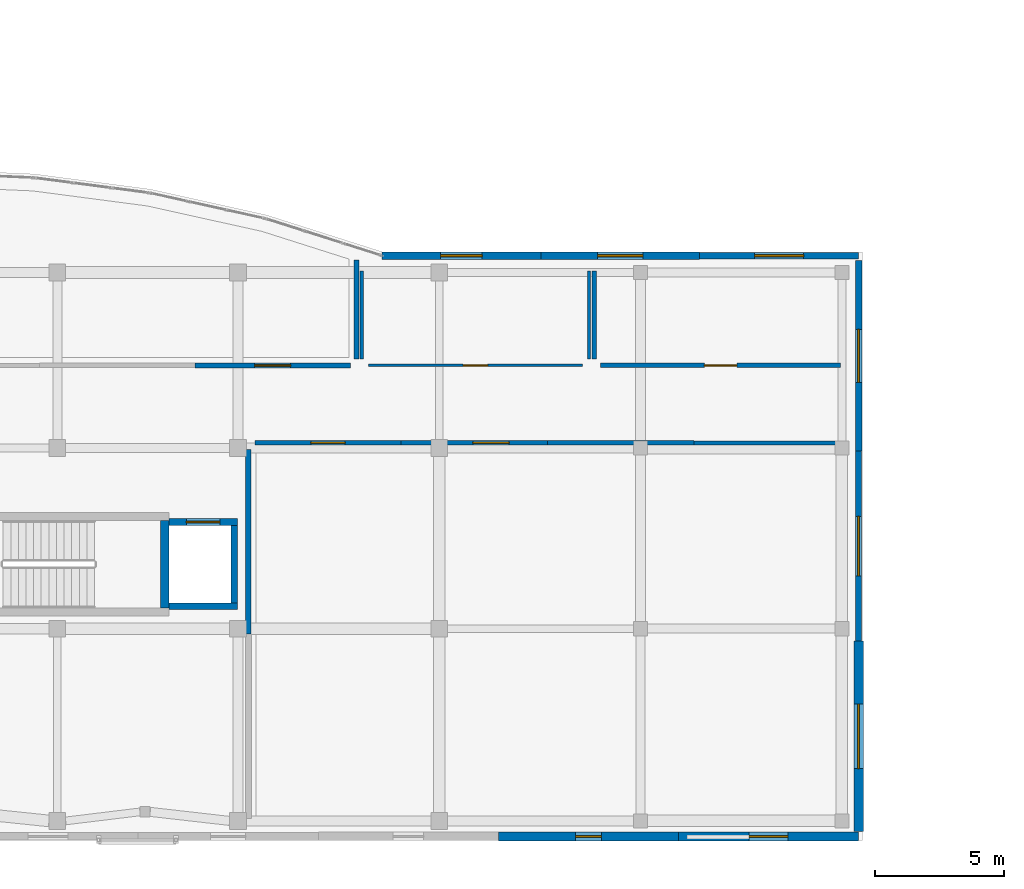
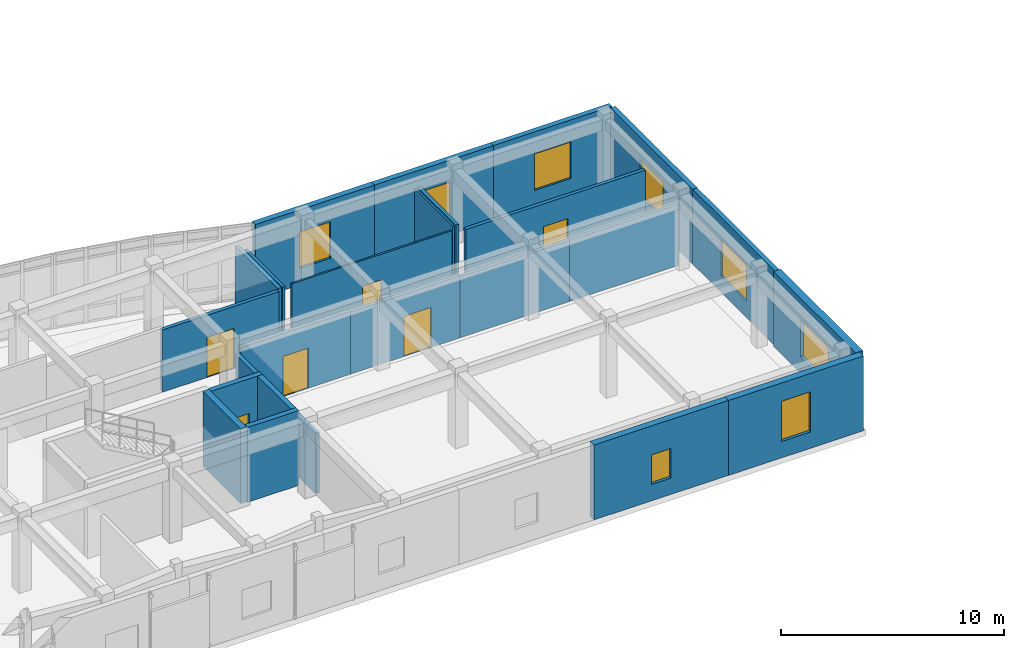
# One storey, part 121 of 142: 24 walls, 8 windows, 6 doors, 14 openings.
"""IFC4 building model written with IfcOpenShell, lengths in metres."""

from ifc_helpers import new_model, si_unit, direction, frame, frame_2d, origin, place, context, subcontext, project, spatial, rectangle, extrude, material, layer, layer_set, type_object, element, fill, save


model = new_model("IFC4")

# Units and contexts
model_context = context("Model", 3, precision=1e-05, world=origin(), true_north=direction((0.0, 1.0)))
body_context = subcontext(model_context, "Body", "Model", "MODEL_VIEW")
ifc_project = project(units=[si_unit("LENGTHUNIT", "METRE"), si_unit("AREAUNIT", "SQUARE_METRE"), si_unit("VOLUMEUNIT", "CUBIC_METRE"), si_unit("PLANEANGLEUNIT", "RADIAN"), si_unit("MASSUNIT", "GRAM", prefix="KILO")], contexts=[model_context])

# Site, building, storey
site_placement = place(None, origin())
site = spatial("IfcSite", under=ifc_project, at=site_placement, CompositionType="ELEMENT")
building_placement = place(site_placement, origin())
building = spatial("IfcBuilding", under=site, at=building_placement, Name="Valcora Specialist Clinic", CompositionType="ELEMENT")
storey_placement = place(building_placement, frame((0.0, 0.0, 5.10009765625)))
storey = spatial("IfcBuildingStorey", under=building, at=storey_placement, Name="L01", CompositionType="ELEMENT", Elevation=5.10009765625)

# Wall
ifc_material_1 = material(Name="Concrete C40/50", Category="concrete")
ifc_layer_1 = layer(ifc_material_1, 0.320068359375)
ifc_layer_set_1 = layer_set([ifc_layer_1], Name="Concrete C40/50")
wall_type_1 = type_object("IfcWallType", Name="TY-WL-CR320", PredefinedType="SHEAR", material=ifc_layer_set_1)
wall_1_placement = place(storey_placement, frame((96.56005859375, 9.001953125, 0.0), z_axis=(0.0, 0.0, 1.0), x_axis=(0.0, 1.0, 0.0)))
element("IfcWall", 1, at=wall_1_placement, inside=storey, type_object=wall_type_1, Name="Core shear wall WL-CR-C-V6B-L01-E", PredefinedType="SHEAR", context=body_context, shape_type="SweptSolid", body=[
    extrude(rectangle(XDim=3.39599609375, YDim=0.320068359375, at=frame_2d((1.697998046875, 0.0))), origin(), (0.0, 0.0, 1.0), 4.10498046875),
])

# Wall, opening, window
ifc_material_2 = material(Name="Extruded Jalisco Clay Brick Masonry", Category="masonry")
ifc_layer_2 = layer(ifc_material_2, 0.235107421875)
ifc_layer_set_2 = layer_set([ifc_layer_2], Name="Extruded Jalisco Clay Brick Masonry")
wall_type_2 = type_object("IfcWallType", Name="TY-WL-EW235", PredefinedType="SOLIDWALL", material=ifc_layer_set_2)
wall_2_placement = place(storey_placement, frame((123.449951171875, 15.086669921875, 0.0), z_axis=(0.0, 0.0, 1.0), x_axis=(0.0, -1.0, 0.0)))
wall_2 = element("IfcWall", 2, at=wall_2_placement, inside=storey, type_object=wall_type_2, Name="Exterior wall WL-EXT-L01-0330", PredefinedType="SOLIDWALL", context=body_context, shape_type="SweptSolid", body=[
    extrude(rectangle(XDim=7.373291015625, YDim=0.235107421875, at=frame_2d((3.6865234375, 0.0))), origin(), (0.0, 0.0, 1.0), 4.10498046875),
])
opening_1_placement = place(wall_2_placement, frame((2.537109375, 0.0, 0.89990234375)))
opening_1 = element("IfcOpeningElement", 3, at=opening_1_placement, cuts=wall_2, Name="Opening WN-28", PredefinedType="OPENING", context=body_context, shape_type="SweptSolid", body=[
    extrude(rectangle(XDim=2.300048828125, YDim=2.0, at=frame_2d((1.14990234375, 1.0))), frame((0.0, 0.12744140625, 0.0), z_axis=(0.0, -1.0, 0.0), x_axis=(1.0, 0.0, 0.0)), (0.0, 0.0, 1.0), 0.255126953125),
])
ifc_material_3 = material(Name="Low-E Laminated Insulating Glass", Category="glass")
window_type_1 = type_object("IfcWindowType", Name="TY-WN-28", PartitioningType="SINGLE_PANEL", PredefinedType="WINDOW", material=ifc_material_3)
window_1_placement = place(opening_1_placement, origin())
window_1 = element("IfcWindow", 4, at=window_1_placement, inside=storey, type_object=window_type_1, Name="Facade window WN-L01-0280", OverallHeight=2.0, OverallWidth=2.300048828125, PartitioningType="SINGLE_PANEL", PredefinedType="WINDOW", context=body_context, shape_type="SweptSolid", body=[
    extrude(rectangle(XDim=2.300048828125, YDim=2.0, at=frame_2d((1.14990234375, 1.0))), frame((0.0, 0.030029296875, 0.0), z_axis=(0.0, -1.0, 0.0), x_axis=(1.0, 0.0, 0.0)), (0.0, 0.0, 1.0), 0.06005859375),
])
fill(opening_1, window_1)

ifc_layer_3 = layer(ifc_material_2, 0.25)
ifc_layer_set_3 = layer_set([ifc_layer_3], Name="Extruded Jalisco Clay Brick Masonry")
wall_type_3 = type_object("IfcWallType", Name="TY-WL-EW250", PredefinedType="SOLIDWALL", material=ifc_layer_set_3)
wall_3_placement = place(storey_placement, frame((123.449951171875, 22.4599609375, 0.0), z_axis=(0.0, 0.0, 1.0), x_axis=(0.0, -1.0, 0.0)))
wall_3 = element("IfcWall", 5, at=wall_3_placement, inside=storey, type_object=wall_type_3, Name="Exterior wall WL-EXT-L01-0329", PredefinedType="SOLIDWALL", context=body_context, shape_type="SweptSolid", body=[
    extrude(rectangle(XDim=7.373291015625, YDim=0.25, at=frame_2d((3.6865234375, 0.0))), origin(), (0.0, 0.0, 1.0), 4.10498046875),
])
opening_2_placement = place(wall_3_placement, frame((2.662109375, 0.0, 0.89990234375)))
opening_2 = element("IfcOpeningElement", 6, at=opening_2_placement, cuts=wall_3, Name="Opening WN-27", PredefinedType="OPENING", context=body_context, shape_type="SweptSolid", body=[
    extrude(rectangle(XDim=2.050048828125, YDim=2.0, at=frame_2d((1.02490234375, 1.0))), frame((0.0, 0.135009765625, 0.0), z_axis=(0.0, -1.0, 0.0), x_axis=(1.0, 0.0, 0.0)), (0.0, 0.0, 1.0), 0.27001953125),
])
window_type_2 = type_object("IfcWindowType", Name="TY-WN-27", PartitioningType="SINGLE_PANEL", PredefinedType="WINDOW", material=ifc_material_3)
window_2_placement = place(opening_2_placement, origin())
window_2 = element("IfcWindow", 7, at=window_2_placement, inside=storey, type_object=window_type_2, Name="Facade window WN-L01-0279", OverallHeight=2.0, OverallWidth=2.050048828125, PartitioningType="SINGLE_PANEL", PredefinedType="WINDOW", context=body_context, shape_type="SweptSolid", body=[
    extrude(rectangle(XDim=2.050048828125, YDim=2.0, at=frame_2d((1.02490234375, 1.0))), frame((0.0, 0.030029296875, 0.0), z_axis=(0.0, -1.0, 0.0), x_axis=(1.0, 0.0, 0.0)), (0.0, 0.0, 1.0), 0.06005859375),
])
fill(opening_2, window_2)

ifc_layer_4 = layer(ifc_material_2, 0.264892578125)
ifc_layer_set_4 = layer_set([ifc_layer_4], Name="Extruded Jalisco Clay Brick Masonry")
wall_type_4 = type_object("IfcWallType", Name="TY-WL-EW265", PredefinedType="SOLIDWALL", material=ifc_layer_set_4)
wall_4_placement = place(storey_placement, frame((117.292236328125, 22.64990234375, 0.0), z_axis=(0.0, 0.0, 1.0), x_axis=(1.0, 0.0, 0.0)))
wall_4 = element("IfcWall", 8, at=wall_4_placement, inside=storey, type_object=wall_type_4, Name="Exterior wall WL-EXT-L01-0328", PredefinedType="SOLIDWALL", context=body_context, shape_type="SweptSolid", body=[
    extrude(rectangle(XDim=6.15771484375, YDim=0.264892578125, at=frame_2d((3.078857421875, 0.0))), origin(), (0.0, 0.0, 1.0), 4.10498046875),
])
opening_3_placement = place(wall_4_placement, frame((2.12890625, 0.0, 0.89990234375)))
opening_3 = element("IfcOpeningElement", 9, at=opening_3_placement, cuts=wall_4, Name="Opening WN-26", PredefinedType="OPENING", context=body_context, shape_type="SweptSolid", body=[
    extrude(rectangle(XDim=1.89990234375, YDim=2.0, at=frame_2d((0.949951171875, 1.0))), frame((0.0, 0.142333984375, 0.0), z_axis=(0.0, -1.0, 0.0), x_axis=(1.0, 0.0, 0.0)), (0.0, 0.0, 1.0), 0.284912109375),
])
window_type_3 = type_object("IfcWindowType", Name="TY-WN-26", PartitioningType="SINGLE_PANEL", PredefinedType="WINDOW", material=ifc_material_3)
window_3_placement = place(opening_3_placement, origin())
window_3 = element("IfcWindow", 10, at=window_3_placement, inside=storey, type_object=window_type_3, Name="Facade window WN-L01-0278", OverallHeight=2.0, OverallWidth=1.89990234375, PartitioningType="SINGLE_PANEL", PredefinedType="WINDOW", context=body_context, shape_type="SweptSolid", body=[
    extrude(rectangle(XDim=1.89990234375, YDim=2.0, at=frame_2d((0.949951171875, 1.0))), frame((0.0, 0.030029296875, 0.0), z_axis=(0.0, -1.0, 0.0), x_axis=(1.0, 0.0, 0.0)), (0.0, 0.0, 1.0), 0.06005859375),
])
fill(opening_3, window_3)

ifc_layer_5 = layer(ifc_material_2, 0.280029296875)
ifc_layer_set_5 = layer_set([ifc_layer_5], Name="Extruded Jalisco Clay Brick Masonry")
wall_type_5 = type_object("IfcWallType", Name="TY-WL-EW280", PredefinedType="SOLIDWALL", material=ifc_layer_set_5)
wall_5_placement = place(storey_placement, frame((111.134521484375, 22.64990234375, 0.0), z_axis=(0.0, 0.0, 1.0), x_axis=(1.0, 0.0, 0.0)))
wall_5 = element("IfcWall", 11, at=wall_5_placement, inside=storey, type_object=wall_type_5, Name="Exterior wall WL-EXT-L01-0327", PredefinedType="SOLIDWALL", context=body_context, shape_type="SweptSolid", body=[
    extrude(rectangle(XDim=6.15771484375, YDim=0.280029296875, at=frame_2d((3.078857421875, 0.0))), origin(), (0.0, 0.0, 1.0), 4.10498046875),
])
opening_4_placement = place(wall_5_placement, frame((2.2041015625, 0.0, 0.89990234375)))
opening_4 = element("IfcOpeningElement", 12, at=opening_4_placement, cuts=wall_5, Name="Opening WN-25", PredefinedType="OPENING", context=body_context, shape_type="SweptSolid", body=[
    extrude(rectangle(XDim=1.75, YDim=2.0, at=frame_2d((0.875, 1.0))), frame((0.0, 0.14990234375, 0.0), z_axis=(0.0, -1.0, 0.0), x_axis=(1.0, 0.0, 0.0)), (0.0, 0.0, 1.0), 0.300048828125),
])
window_type_4 = type_object("IfcWindowType", Name="TY-WN-25", PartitioningType="SINGLE_PANEL", PredefinedType="WINDOW", material=ifc_material_3)
window_4_placement = place(opening_4_placement, origin())
window_4 = element("IfcWindow", 13, at=window_4_placement, inside=storey, type_object=window_type_4, Name="Facade window WN-L01-0277", OverallHeight=2.0, OverallWidth=1.75, PartitioningType="SINGLE_PANEL", PredefinedType="WINDOW", context=body_context, shape_type="SweptSolid", body=[
    extrude(rectangle(XDim=1.75, YDim=2.0, at=frame_2d((0.875, 1.0))), frame((0.0, 0.030029296875, 0.0), z_axis=(0.0, -1.0, 0.0), x_axis=(1.0, 0.0, 0.0)), (0.0, 0.0, 1.0), 0.06005859375),
])
fill(opening_4, window_4)

ifc_layer_6 = layer(ifc_material_2, 0.294921875)
ifc_layer_set_6 = layer_set([ifc_layer_6], Name="Extruded Jalisco Clay Brick Masonry")
wall_type_6 = type_object("IfcWallType", Name="TY-WL-EW295", PredefinedType="SOLIDWALL", material=ifc_layer_set_6)
wall_6_placement = place(storey_placement, frame((104.976806640625, 22.64990234375, 0.0), z_axis=(0.0, 0.0, 1.0), x_axis=(1.0, 0.0, 0.0)))
wall_6 = element("IfcWall", 14, at=wall_6_placement, inside=storey, type_object=wall_type_6, Name="Exterior wall WL-EXT-L01-0326", PredefinedType="SOLIDWALL", context=body_context, shape_type="SweptSolid", body=[
    extrude(rectangle(XDim=6.15771484375, YDim=0.294921875, at=frame_2d((3.078857421875, 0.0))), origin(), (0.0, 0.0, 1.0), 4.10498046875),
])
opening_5_placement = place(wall_6_placement, frame((2.279052734375, 0.0, 0.89990234375)))
opening_5 = element("IfcOpeningElement", 15, at=opening_5_placement, cuts=wall_6, Name="Opening WN-24", PredefinedType="OPENING", context=body_context, shape_type="SweptSolid", body=[
    extrude(rectangle(XDim=1.60009765625, YDim=2.0, at=frame_2d((0.800048828125, 1.0))), frame((0.0, 0.157470703125, 0.0), z_axis=(0.0, -1.0, 0.0), x_axis=(1.0, 0.0, 0.0)), (0.0, 0.0, 1.0), 0.31494140625),
])
window_type_5 = type_object("IfcWindowType", Name="TY-WN-24", PartitioningType="SINGLE_PANEL", PredefinedType="WINDOW", material=ifc_material_3)
window_5_placement = place(opening_5_placement, origin())
window_5 = element("IfcWindow", 16, at=window_5_placement, inside=storey, type_object=window_type_5, Name="Facade window WN-L01-0276", OverallHeight=2.0, OverallWidth=1.60009765625, PartitioningType="SINGLE_PANEL", PredefinedType="WINDOW", context=body_context, shape_type="SweptSolid", body=[
    extrude(rectangle(XDim=1.60009765625, YDim=2.0, at=frame_2d((0.800048828125, 1.0))), frame((0.0, 0.030029296875, 0.0), z_axis=(0.0, -1.0, 0.0), x_axis=(1.0, 0.0, 0.0)), (0.0, 0.0, 1.0), 0.06005859375),
])
fill(opening_5, window_5)

ifc_layer_7 = layer(ifc_material_2, 0.340087890625)
ifc_layer_set_7 = layer_set([ifc_layer_7], Name="Extruded Jalisco Clay Brick Masonry")
wall_type_7 = type_object("IfcWallType", Name="TY-WL-EW340", PredefinedType="SOLIDWALL", material=ifc_layer_set_7)
wall_7_placement = place(storey_placement, frame((116.469970703125, 0.14990234375, 0.0), z_axis=(0.0, 0.0, 1.0), x_axis=(-1.0, 0.0, 0.0)))
wall_7 = element("IfcWall", 17, at=wall_7_placement, inside=storey, type_object=wall_type_7, Name="Exterior wall WL-EXT-L01-0333", PredefinedType="SOLIDWALL", context=body_context, shape_type="SweptSolid", body=[
    extrude(rectangle(XDim=6.97998046875, YDim=0.340087890625, at=frame_2d((3.489990234375, 0.0))), origin(), (0.0, 0.0, 1.0), 4.10498046875),
])
opening_6_placement = place(wall_7_placement, frame((2.989990234375, 0.0, 0.89990234375)))
opening_6 = element("IfcOpeningElement", 18, at=opening_6_placement, cuts=wall_7, Name="Opening WN-31", PredefinedType="OPENING", context=body_context, shape_type="SweptSolid", body=[
    extrude(rectangle(XDim=1.0, YDim=1.6201171875, at=frame_2d((0.5, 0.81005859375))), frame((0.0, 0.179931640625, 0.0), z_axis=(0.0, -1.0, 0.0), x_axis=(1.0, 0.0, 0.0)), (0.0, 0.0, 1.0), 0.360107421875),
])
window_type_6 = type_object("IfcWindowType", Name="TY-WN-31", PartitioningType="SINGLE_PANEL", PredefinedType="WINDOW", material=ifc_material_3)
window_6_placement = place(opening_6_placement, origin())
window_6 = element("IfcWindow", 19, at=window_6_placement, inside=storey, type_object=window_type_6, Name="Facade window WN-L01-0283", OverallHeight=1.6201171875, OverallWidth=1.0, PartitioningType="SINGLE_PANEL", PredefinedType="WINDOW", context=body_context, shape_type="SweptSolid", body=[
    extrude(rectangle(XDim=1.0, YDim=1.6201171875, at=frame_2d((0.5, 0.81005859375))), frame((0.0, 0.030029296875, 0.0), z_axis=(0.0, -1.0, 0.0), x_axis=(1.0, 0.0, 0.0)), (0.0, 0.0, 1.0), 0.06005859375),
])
fill(opening_6, window_6)

ifc_layer_8 = layer(ifc_material_2, 0.35498046875)
ifc_layer_set_8 = layer_set([ifc_layer_8], Name="Extruded Jalisco Clay Brick Masonry")
wall_type_8 = type_object("IfcWallType", Name="TY-WL-EW355", PredefinedType="SOLIDWALL", material=ifc_layer_set_8)
wall_8_placement = place(storey_placement, frame((123.449951171875, 0.14990234375, 0.0), z_axis=(0.0, 0.0, 1.0), x_axis=(-1.0, 0.0, 0.0)))
wall_8 = element("IfcWall", 20, at=wall_8_placement, inside=storey, type_object=wall_type_8, Name="Exterior wall WL-EXT-L01-0332", PredefinedType="SOLIDWALL", context=body_context, shape_type="SweptSolid", body=[
    extrude(rectangle(XDim=6.97998046875, YDim=0.35498046875, at=frame_2d((3.489990234375, 0.0))), origin(), (0.0, 0.0, 1.0), 4.10498046875),
])
opening_7_placement = place(wall_8_placement, frame((2.739990234375, 0.0, 0.89990234375)))
opening_7 = element("IfcOpeningElement", 21, at=opening_7_placement, cuts=wall_8, Name="Opening WN-30", PredefinedType="OPENING", context=body_context, shape_type="SweptSolid", body=[
    extrude(rectangle(XDim=1.5, YDim=2.199951171875, at=frame_2d((0.75, 1.10009765625))), frame((0.0, 0.1875, 0.0), z_axis=(0.0, -1.0, 0.0), x_axis=(1.0, 0.0, 0.0)), (0.0, 0.0, 1.0), 0.375),
])
window_type_7 = type_object("IfcWindowType", Name="TY-WN-30", PartitioningType="SINGLE_PANEL", PredefinedType="WINDOW", material=ifc_material_3)
window_7_placement = place(opening_7_placement, origin())
window_7 = element("IfcWindow", 22, at=window_7_placement, inside=storey, type_object=window_type_7, Name="Facade window WN-L01-0282", OverallHeight=2.199951171875, OverallWidth=1.5, PartitioningType="SINGLE_PANEL", PredefinedType="WINDOW", context=body_context, shape_type="SweptSolid", body=[
    extrude(rectangle(XDim=1.5, YDim=2.199951171875, at=frame_2d((0.75, 1.10009765625))), frame((0.0, 0.030029296875, 0.0), z_axis=(0.0, -1.0, 0.0), x_axis=(1.0, 0.0, 0.0)), (0.0, 0.0, 1.0), 0.06005859375),
])
fill(opening_7, window_7)

ifc_layer_9 = layer(ifc_material_2, 0.3701171875)
ifc_layer_set_9 = layer_set([ifc_layer_9], Name="Extruded Jalisco Clay Brick Masonry")
wall_type_9 = type_object("IfcWallType", Name="TY-WL-EW370", PredefinedType="SOLIDWALL", material=ifc_layer_set_9)
wall_9_placement = place(storey_placement, frame((123.449951171875, 7.71337890625, 0.0), z_axis=(0.0, 0.0, 1.0), x_axis=(0.0, -1.0, 0.0)))
wall_9 = element("IfcWall", 23, at=wall_9_placement, inside=storey, type_object=wall_type_9, Name="Exterior wall WL-EXT-L01-0331", PredefinedType="SOLIDWALL", context=body_context, shape_type="SweptSolid", body=[
    extrude(rectangle(XDim=7.373291015625, YDim=0.3701171875, at=frame_2d((3.6865234375, 0.0))), origin(), (0.0, 0.0, 1.0), 4.10498046875),
])
opening_8_placement = place(wall_9_placement, frame((2.43701171875, 0.0, 0.89990234375)))
opening_8 = element("IfcOpeningElement", 24, at=opening_8_placement, cuts=wall_9, Name="Opening WN-29", PredefinedType="OPENING", context=body_context, shape_type="SweptSolid", body=[
    extrude(rectangle(XDim=2.5, YDim=2.0, at=frame_2d((1.25, 1.0))), frame((0.0, 0.195068359375, 0.0), z_axis=(0.0, -1.0, 0.0), x_axis=(1.0, 0.0, 0.0)), (0.0, 0.0, 1.0), 0.39013671875),
])
window_type_8 = type_object("IfcWindowType", Name="TY-WN-29", PartitioningType="SINGLE_PANEL", PredefinedType="WINDOW", material=ifc_material_3)
window_8_placement = place(opening_8_placement, origin())
window_8 = element("IfcWindow", 25, at=window_8_placement, inside=storey, type_object=window_type_8, Name="Facade window WN-L01-0281", OverallHeight=2.0, OverallWidth=2.5, PartitioningType="SINGLE_PANEL", PredefinedType="WINDOW", context=body_context, shape_type="SweptSolid", body=[
    extrude(rectangle(XDim=2.5, YDim=2.0, at=frame_2d((1.25, 1.0))), frame((0.0, 0.030029296875, 0.0), z_axis=(0.0, -1.0, 0.0), x_axis=(1.0, 0.0, 0.0)), (0.0, 0.0, 1.0), 0.06005859375),
])
fill(opening_8, window_8)

# Wall, opening, door
ifc_material_4 = material(Name="Gypsum Board Partition Assembly")
ifc_layer_10 = layer(ifc_material_4, 0.094970703125)
ifc_layer_set_10 = layer_set([ifc_layer_10], Name="Gypsum Board Partition Assembly")
wall_type_10 = type_object("IfcWallType", Name="TY-WL-PT095", PredefinedType="PARTITIONING", material=ifc_layer_set_10)
wall_10_placement = place(storey_placement, frame((112.75, 18.39990234375, 0.0), z_axis=(0.0, 0.0, 1.0), x_axis=(-1.0, 0.0, 0.0)))
wall_10 = element("IfcWall", 26, at=wall_10_placement, inside=storey, type_object=wall_type_10, Name="Interior partition WL-INT-L01-0275", PredefinedType="PARTITIONING", context=body_context, shape_type="SweptSolid", body=[
    extrude(rectangle(XDim=8.300048828125, YDim=0.094970703125, at=frame_2d((4.14990234375, 0.0))), origin(), (0.0, 0.0, 1.0), 3.554931640625),
])
opening_9_placement = place(wall_10_placement, frame((3.675048828125, 0.0, 0.0)))
opening_9 = element("IfcOpeningElement", 27, at=opening_9_placement, cuts=wall_10, Name="Opening DR-WC-095", PredefinedType="OPENING", context=body_context, shape_type="SweptSolid", body=[
    extrude(rectangle(XDim=0.949951171875, YDim=2.14990234375, at=frame_2d((0.47509765625, 1.074951171875))), frame((0.0, 0.057373046875, 0.0), z_axis=(0.0, -1.0, 0.0), x_axis=(1.0, 0.0, 0.0)), (0.0, 0.0, 1.0), 0.114990234375),
])
ifc_material_5 = material(Name="Glulam Conifer Class 24F", Category="wood")
door_type_1 = type_object("IfcDoorType", Name="TY-DR-WC095", OperationType="NOTDEFINED", PredefinedType="DOOR", material=ifc_material_5)
door_1_placement = place(opening_9_placement, origin())
door_1 = element("IfcDoor", 28, at=door_1_placement, inside=storey, type_object=door_type_1, Name="Interior door DR-INT-L01-0076", OperationType="SINGLE_SWING_RIGHT", OverallHeight=2.14990234375, OverallWidth=0.949951171875, PredefinedType="DOOR", context=body_context, shape_type="SweptSolid", body=[
    extrude(rectangle(XDim=0.949951171875, YDim=2.14990234375, at=frame_2d((0.47509765625, 1.074951171875))), frame((0.0, 0.02490234375, 0.0), z_axis=(0.0, -1.0, 0.0), x_axis=(1.0, 0.0, 0.0)), (0.0, 0.0, 1.0), 0.050048828125),
])
fill(opening_9, door_1)

# Walls
ifc_layer_11 = layer(ifc_material_4, 0.10498046875)
ifc_layer_set_11 = layer_set([ifc_layer_11], Name="Gypsum Board Partition Assembly")
wall_type_11 = type_object("IfcWallType", Name="TY-WL-PT105", PredefinedType="PARTITIONING", material=ifc_layer_set_11)
wall_11_placement = place(storey_placement, frame((113.0, 22.050048828125, 0.0), z_axis=(0.0, 0.0, 1.0), x_axis=(0.0, -1.0, 0.0)))
element("IfcWall", 29, at=wall_11_placement, inside=storey, type_object=wall_type_11, Name="Interior partition WL-INT-L01-0274", PredefinedType="PARTITIONING", context=body_context, shape_type="SweptSolid", body=[
    extrude(rectangle(XDim=3.400146484375, YDim=0.10498046875, at=frame_2d((1.7001953125, 0.0))), origin(), (0.0, 0.0, 1.0), 3.554931640625),
])
ifc_layer_12 = layer(ifc_material_4, 0.14501953125)
ifc_layer_set_12 = layer_set([ifc_layer_12], Name="Gypsum Board Partition Assembly")
wall_type_12 = type_object("IfcWallType", Name="TY-WL-PT145", PredefinedType="PARTITIONING", material=ifc_layer_set_12)
wall_12_placement = place(storey_placement, frame((104.199951171875, 18.64990234375, 0.0), z_axis=(0.0, 0.0, 1.0), x_axis=(0.0, 1.0, 0.0)))
element("IfcWall", 30, at=wall_12_placement, inside=storey, type_object=wall_type_12, Name="Interior partition WL-INT-L01-0276", PredefinedType="PARTITIONING", context=body_context, shape_type="SweptSolid", body=[
    extrude(rectangle(XDim=3.400146484375, YDim=0.14501953125, at=frame_2d((1.7001953125, 0.0))), origin(), (0.0, 0.0, 1.0), 3.304931640625),
])
ifc_layer_13 = layer(ifc_material_4, 0.155029296875)
ifc_layer_set_13 = layer_set([ifc_layer_13], Name="Gypsum Board Partition Assembly")
wall_type_13 = type_object("IfcWallType", Name="TY-WL-PT155", PredefinedType="PARTITIONING", material=ifc_layer_set_13)
wall_13_placement = place(storey_placement, frame((117.074951171875, 15.39990234375, 0.0), z_axis=(0.0, 0.0, 1.0), x_axis=(1.0, 0.0, 0.0)))
element("IfcWall", 31, at=wall_13_placement, inside=storey, type_object=wall_type_13, Name="Interior partition WL-INT-L01-0263", PredefinedType="PARTITIONING", context=body_context, shape_type="SweptSolid", body=[
    extrude(rectangle(XDim=5.675048828125, YDim=0.155029296875, at=frame_2d((2.83740234375, 0.0))), origin(), (0.0, 0.0, 1.0), 3.35498046875),
])
ifc_layer_14 = layer(ifc_material_4, 0.1650390625)
ifc_layer_set_14 = layer_set([ifc_layer_14], Name="Gypsum Board Partition Assembly")
wall_type_14 = type_object("IfcWallType", Name="TY-WL-PT165", PredefinedType="PARTITIONING", material=ifc_layer_set_14)
wall_14_placement = place(storey_placement, frame((111.39990234375, 15.39990234375, 0.0), z_axis=(0.0, 0.0, 1.0), x_axis=(1.0, 0.0, 0.0)))
element("IfcWall", 32, at=wall_14_placement, inside=storey, type_object=wall_type_14, Name="Interior partition WL-INT-L01-0262", PredefinedType="PARTITIONING", context=body_context, shape_type="SweptSolid", body=[
    extrude(rectangle(XDim=5.675048828125, YDim=0.1650390625, at=frame_2d((2.83740234375, 0.0))), origin(), (0.0, 0.0, 1.0), 3.35498046875),
])
wall_15_placement = place(storey_placement, frame((113.199951171875, 18.64990234375, 0.0), z_axis=(0.0, 0.0, 1.0), x_axis=(0.0, 1.0, 0.0)))
element("IfcWall", 33, at=wall_15_placement, inside=storey, type_object=wall_type_14, Name="Interior partition WL-INT-L01-0278", PredefinedType="PARTITIONING", context=body_context, shape_type="SweptSolid", body=[
    extrude(rectangle(XDim=3.400146484375, YDim=0.1650390625, at=frame_2d((1.7001953125, 0.0))), origin(), (0.0, 0.0, 1.0), 3.554931640625),
])

# Wall, opening, door
ifc_layer_15 = layer(ifc_material_4, 0.175048828125)
ifc_layer_set_15 = layer_set([ifc_layer_15], Name="Gypsum Board Partition Assembly")
wall_type_15 = type_object("IfcWallType", Name="TY-WL-PT175", PredefinedType="PARTITIONING", material=ifc_layer_set_15)
wall_16_placement = place(storey_placement, frame((105.72509765625, 15.39990234375, 0.0), z_axis=(0.0, 0.0, 1.0), x_axis=(1.0, 0.0, 0.0)))
wall_16 = element("IfcWall", 34, at=wall_16_placement, inside=storey, type_object=wall_type_15, Name="Interior partition WL-INT-L01-0261", PredefinedType="PARTITIONING", context=body_context, shape_type="SweptSolid", body=[
    extrude(rectangle(XDim=5.6748046875, YDim=0.175048828125, at=frame_2d((2.83740234375, 0.0))), origin(), (0.0, 0.0, 1.0), 3.40478515625),
])
opening_10_placement = place(wall_16_placement, frame((2.779052734375, 0.0, 0.0)))
opening_10 = element("IfcOpeningElement", 35, at=opening_10_placement, cuts=wall_16, Name="Opening DR-LB-140", PredefinedType="OPENING", context=body_context, shape_type="SweptSolid", body=[
    extrude(rectangle(XDim=1.39990234375, YDim=2.199951171875, at=frame_2d((0.699951171875, 1.10009765625))), frame((0.0, 0.097412109375, 0.0), z_axis=(0.0, -1.0, 0.0), x_axis=(1.0, 0.0, 0.0)), (0.0, 0.0, 1.0), 0.195068359375),
])
ifc_material_6 = material(Name="Anodized Bronze Aluminium 6063-T6", Category="aluminium")
door_type_2 = type_object("IfcDoorType", Name="TY-DR-LB140", OperationType="NOTDEFINED", PredefinedType="DOOR", material=ifc_material_6)
door_2_placement = place(opening_10_placement, origin())
door_2 = element("IfcDoor", 36, at=door_2_placement, inside=storey, type_object=door_type_2, Name="Interior door DR-INT-L01-0073", OperationType="SINGLE_SWING_LEFT", OverallHeight=2.199951171875, OverallWidth=1.39990234375, PredefinedType="DOOR", context=body_context, shape_type="SweptSolid", body=[
    extrude(rectangle(XDim=1.39990234375, YDim=2.199951171875, at=frame_2d((0.699951171875, 1.10009765625))), frame((0.0, 0.02490234375, 0.0), z_axis=(0.0, -1.0, 0.0), x_axis=(1.0, 0.0, 0.0)), (0.0, 0.0, 1.0), 0.050048828125),
])
fill(opening_10, door_2)

wall_17_placement = place(storey_placement, frame((122.75, 18.39990234375, 0.0), z_axis=(0.0, 0.0, 1.0), x_axis=(-1.0, 0.0, 0.0)))
wall_17 = element("IfcWall", 37, at=wall_17_placement, inside=storey, type_object=wall_type_15, Name="Interior partition WL-INT-L01-0277", PredefinedType="PARTITIONING", context=body_context, shape_type="SweptSolid", body=[
    extrude(rectangle(XDim=9.300048828125, YDim=0.175048828125, at=frame_2d((4.64990234375, 0.0))), origin(), (0.0, 0.0, 1.0), 3.40478515625),
])
opening_11_placement = place(wall_17_placement, frame((4.02001953125, 0.0, 0.0)))
opening_11 = element("IfcOpeningElement", 38, at=opening_11_placement, cuts=wall_17, Name="Opening DR-SR-126", PredefinedType="OPENING", context=body_context, shape_type="SweptSolid", body=[
    extrude(rectangle(XDim=1.260009765625, YDim=2.14990234375, at=frame_2d((0.6298828125, 1.074951171875))), frame((0.0, 0.097412109375, 0.0), z_axis=(0.0, -1.0, 0.0), x_axis=(1.0, 0.0, 0.0)), (0.0, 0.0, 1.0), 0.195068359375),
])
ifc_material_7 = material(Name="Galvanized Hollow Metal Door Steel ASTM A653", Category="steel")
door_type_3 = type_object("IfcDoorType", Name="TY-DR-SR126", OperationType="NOTDEFINED", PredefinedType="DOOR", material=ifc_material_7)
door_3_placement = place(opening_11_placement, origin())
door_3 = element("IfcDoor", 39, at=door_3_placement, inside=storey, type_object=door_type_3, Name="Interior door DR-INT-L01-0077", OperationType="SINGLE_SWING_LEFT", OverallHeight=2.14990234375, OverallWidth=1.260009765625, PredefinedType="DOOR", context=body_context, shape_type="SweptSolid", body=[
    extrude(rectangle(XDim=1.260009765625, YDim=2.14990234375, at=frame_2d((0.6298828125, 1.074951171875))), frame((0.0, 0.02490234375, 0.0), z_axis=(0.0, -1.0, 0.0), x_axis=(1.0, 0.0, 0.0)), (0.0, 0.0, 1.0), 0.050048828125),
])
fill(opening_11, door_3)

ifc_layer_16 = layer(ifc_material_4, 0.18505859375)
ifc_layer_set_16 = layer_set([ifc_layer_16], Name="Gypsum Board Partition Assembly")
wall_type_16 = type_object("IfcWallType", Name="TY-WL-PT185", PredefinedType="PARTITIONING", material=ifc_layer_set_16)
wall_18_placement = place(storey_placement, frame((100.050048828125, 15.39990234375, 0.0), z_axis=(0.0, 0.0, 1.0), x_axis=(1.0, 0.0, 0.0)))
wall_18 = element("IfcWall", 40, at=wall_18_placement, inside=storey, type_object=wall_type_16, Name="Interior partition WL-INT-L01-0260", PredefinedType="PARTITIONING", context=body_context, shape_type="SweptSolid", body=[
    extrude(rectangle(XDim=5.675048828125, YDim=0.18505859375, at=frame_2d((2.83740234375, 0.0))), origin(), (0.0, 0.0, 1.0), 3.454833984375),
])
opening_12_placement = place(wall_18_placement, frame((2.177001953125, 0.0, 0.0)))
opening_12 = element("IfcOpeningElement", 41, at=opening_12_placement, cuts=wall_18, Name="Opening DR-LB-132", PredefinedType="OPENING", context=body_context, shape_type="SweptSolid", body=[
    extrude(rectangle(XDim=1.320068359375, YDim=2.199951171875, at=frame_2d((0.66015625, 1.10009765625))), frame((0.0, 0.1025390625, 0.0), z_axis=(0.0, -1.0, 0.0), x_axis=(1.0, 0.0, 0.0)), (0.0, 0.0, 1.0), 0.205078125),
])
door_type_4 = type_object("IfcDoorType", Name="TY-DR-LB132", OperationType="NOTDEFINED", PredefinedType="DOOR", material=ifc_material_6)
door_4_placement = place(opening_12_placement, origin())
door_4 = element("IfcDoor", 42, at=door_4_placement, inside=storey, type_object=door_type_4, Name="Interior door DR-INT-L01-0072", OperationType="SINGLE_SWING_RIGHT", OverallHeight=2.199951171875, OverallWidth=1.320068359375, PredefinedType="DOOR", context=body_context, shape_type="SweptSolid", body=[
    extrude(rectangle(XDim=1.320068359375, YDim=2.199951171875, at=frame_2d((0.66015625, 1.10009765625))), frame((0.0, 0.02490234375, 0.0), z_axis=(0.0, -1.0, 0.0), x_axis=(1.0, 0.0, 0.0)), (0.0, 0.0, 1.0), 0.050048828125),
])
fill(opening_12, door_4)

wall_19_placement = place(storey_placement, frame((103.75, 18.39990234375, 0.0), z_axis=(0.0, 0.0, 1.0), x_axis=(-1.0, 0.0, 0.0)))
wall_19 = element("IfcWall", 43, at=wall_19_placement, inside=storey, type_object=wall_type_16, Name="Interior partition WL-INT-L01-0268", PredefinedType="PARTITIONING", context=body_context, shape_type="SweptSolid", body=[
    extrude(rectangle(XDim=6.01708984375, YDim=0.18505859375, at=frame_2d((3.008544921875, 0.0))), origin(), (0.0, 0.0, 1.0), 3.40478515625),
])
opening_13_placement = place(wall_19_placement, frame((2.30810546875, 0.0, 0.0)))
opening_13 = element("IfcOpeningElement", 44, at=opening_13_placement, cuts=wall_19, Name="Opening DR-LB-140", PredefinedType="OPENING", context=body_context, shape_type="SweptSolid", body=[
    extrude(rectangle(XDim=1.39990234375, YDim=2.199951171875, at=frame_2d((0.699951171875, 1.10009765625))), frame((0.0, 0.1025390625, 0.0), z_axis=(0.0, -1.0, 0.0), x_axis=(1.0, 0.0, 0.0)), (0.0, 0.0, 1.0), 0.205078125),
])
door_5_placement = place(opening_13_placement, origin())
door_5 = element("IfcDoor", 45, at=door_5_placement, inside=storey, type_object=door_type_2, Name="Interior door DR-INT-L01-0075", OperationType="SINGLE_SWING_LEFT", OverallHeight=2.199951171875, OverallWidth=1.39990234375, PredefinedType="DOOR", context=body_context, shape_type="SweptSolid", body=[
    extrude(rectangle(XDim=1.39990234375, YDim=2.199951171875, at=frame_2d((0.699951171875, 1.10009765625))), frame((0.0, 0.02490234375, 0.0), z_axis=(0.0, -1.0, 0.0), x_axis=(1.0, 0.0, 0.0)), (0.0, 0.0, 1.0), 0.050048828125),
])
fill(opening_13, door_5)

# Walls
ifc_layer_17 = layer(ifc_material_4, 0.195068359375)
ifc_layer_set_17 = layer_set([ifc_layer_17], Name="Gypsum Board Partition Assembly")
wall_type_17 = type_object("IfcWallType", Name="TY-WL-PT195", PredefinedType="PARTITIONING", material=ifc_layer_set_17)
wall_20_placement = place(storey_placement, frame((104.0, 22.489990234375, 0.0), z_axis=(0.0, 0.0, 1.0), x_axis=(0.0, -1.0, 0.0)))
element("IfcWall", 46, at=wall_20_placement, inside=storey, type_object=wall_type_17, Name="Interior partition WL-INT-L01-0267", PredefinedType="PARTITIONING", context=body_context, shape_type="SweptSolid", body=[
    extrude(rectangle(XDim=3.840087890625, YDim=0.195068359375, at=frame_2d((1.919921875, 0.0))), origin(), (0.0, 0.0, 1.0), 3.304931640625),
])
ifc_material_8 = material(Name="Lead-Lined Gypsum Partition Assembly")
ifc_layer_18 = layer(ifc_material_8, 0.215087890625)
ifc_layer_set_18 = layer_set([ifc_layer_18], Name="Lead-Lined Gypsum Partition Assembly")
wall_type_18 = type_object("IfcWallType", Name="TY-WL-PT215", PredefinedType="PARTITIONING", material=ifc_layer_set_18)
wall_21_placement = place(storey_placement, frame((99.800048828125, 8.0, 0.0), z_axis=(0.0, 0.0, 1.0), x_axis=(0.0, 1.0, 0.0)))
element("IfcWall", 47, at=wall_21_placement, inside=storey, type_object=wall_type_18, Name="Interior partition WL-INT-L01-0265", PredefinedType="PARTITIONING", context=body_context, shape_type="SweptSolid", body=[
    extrude(rectangle(XDim=7.14990234375, YDim=0.215087890625, at=frame_2d((3.574951171875, 0.0))), origin(), (0.0, 0.0, 1.0), 3.304931640625),
])
ifc_layer_19 = layer(ifc_material_1, 0.260009765625)
ifc_layer_set_19 = layer_set([ifc_layer_19], Name="Concrete C40/50")
wall_type_19 = type_object("IfcWallType", Name="TY-WL-SH260", PredefinedType="SHEAR", material=ifc_layer_set_19)
wall_22_placement = place(storey_placement, frame((96.721923828125, 9.070068359375, 0.0), z_axis=(0.0, 0.0, 1.0), x_axis=(1.0, 0.0, 0.0)))
element("IfcWall", 48, at=wall_22_placement, inside=storey, type_object=wall_type_19, Name="Lift shaft wall WL-LF-LF-08-L01-LS", PredefinedType="SHEAR", context=body_context, shape_type="SweptSolid", body=[
    extrude(rectangle(XDim=2.657958984375, YDim=0.260009765625, at=frame_2d((1.3291015625, 0.0))), origin(), (0.0, 0.0, 1.0), 4.10498046875),
])

# Wall, opening, door
wall_23_placement = place(storey_placement, frame((96.721923828125, 12.330078125, 0.0), z_axis=(0.0, 0.0, 1.0), x_axis=(1.0, 0.0, 0.0)))
wall_23 = element("IfcWall", 49, at=wall_23_placement, inside=storey, type_object=wall_type_19, Name="Lift shaft wall WL-LF-LF-08-L01-LN", PredefinedType="SHEAR", context=body_context, shape_type="SweptSolid", body=[
    extrude(rectangle(XDim=2.657958984375, YDim=0.260009765625, at=frame_2d((1.3291015625, 0.0))), origin(), (0.0, 0.0, 1.0), 4.10498046875),
])
opening_14_placement = place(wall_23_placement, frame((0.678955078125, 0.0, 0.0)))
opening_14 = element("IfcOpeningElement", 50, at=opening_14_placement, cuts=wall_23, Name="Opening LD-130", PredefinedType="OPENING", context=body_context, shape_type="SweptSolid", body=[
    extrude(rectangle(XDim=1.300048828125, YDim=2.199951171875, at=frame_2d((0.64990234375, 1.10009765625))), frame((0.0, 0.139892578125, 0.0), z_axis=(0.0, -1.0, 0.0), x_axis=(1.0, 0.0, 0.0)), (0.0, 0.0, 1.0), 0.280029296875),
])
ifc_material_9 = material(Name="Stainless Steel AISI 316", Category="steel")
door_type_5 = type_object("IfcDoorType", Name="TY-LD-130", OperationType="NOTDEFINED", PredefinedType="DOOR", material=ifc_material_9)
door_6_placement = place(opening_14_placement, origin())
door_6 = element("IfcDoor", 51, at=door_6_placement, inside=storey, type_object=door_type_5, Name="Lift landing sliding door LF-08 L01", OperationType="SLIDING_TO_LEFT", OverallHeight=2.199951171875, OverallWidth=1.300048828125, PredefinedType="DOOR", context=body_context, shape_type="SweptSolid", body=[
    extrude(rectangle(XDim=1.300048828125, YDim=2.199951171875, at=frame_2d((0.64990234375, 1.10009765625))), frame((0.0, 0.02490234375, 0.0), z_axis=(0.0, -1.0, 0.0), x_axis=(1.0, 0.0, 0.0)), (0.0, 0.0, 1.0), 0.050048828125),
])
fill(opening_14, door_6)

# Wall
wall_24_placement = place(storey_placement, frame((99.25, 9.201904296875, 0.0), z_axis=(0.0, 0.0, 1.0), x_axis=(0.0, 1.0, 0.0)))
element("IfcWall", 52, at=wall_24_placement, inside=storey, type_object=wall_type_19, Name="Lift shaft wall WL-LF-LF-08-L01-LE", PredefinedType="SHEAR", context=body_context, shape_type="SweptSolid", body=[
    extrude(rectangle(XDim=2.99609375, YDim=0.260009765625, at=frame_2d((1.498046875, 0.0))), origin(), (0.0, 0.0, 1.0), 4.10498046875),
])

save(model, "model.ifc")
